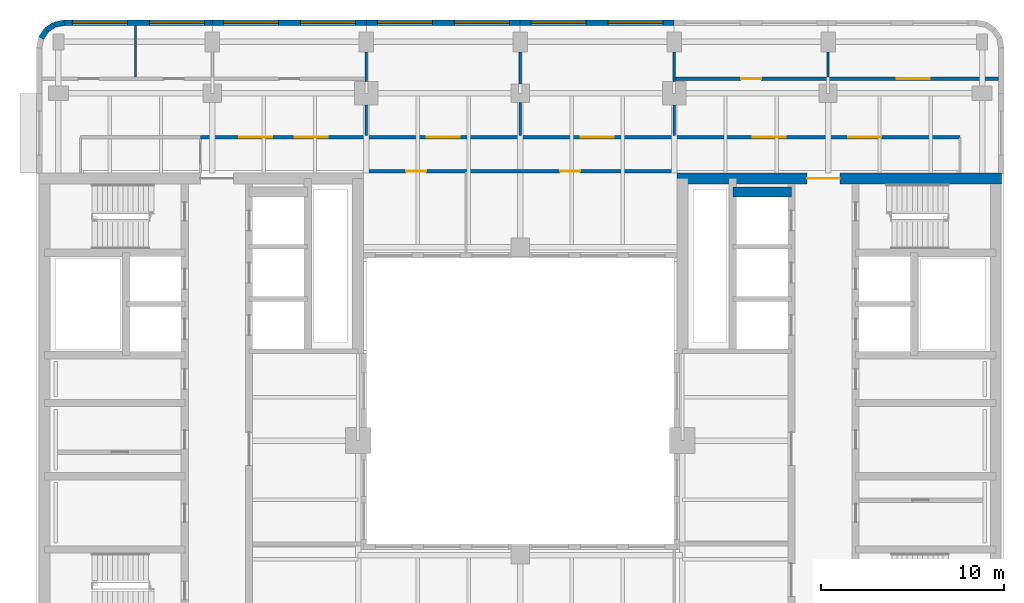
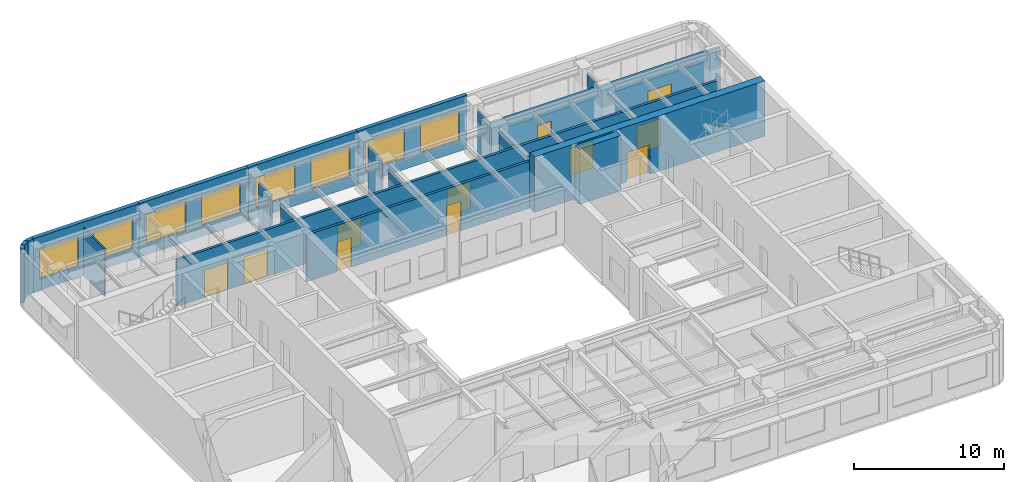
# One storey, part 7 of 11: 20 walls, 11 doors, 8 windows, 19 openings.
"""IFC4 building model written with IfcOpenShell, lengths in metres."""

from ifc_helpers import new_model, si_unit, direction, frame, frame_2d, origin, place, context, subcontext, project, spatial, rectangle, extrude, material, layer, layer_set, type_object, element, fill, save


model = new_model("IFC4")

# Units and contexts
model_context = context("Model", 3, precision=1e-05, world=origin(), true_north=direction((0.0, 1.0)))
body_context = subcontext(model_context, "Body", "Model", "MODEL_VIEW")
ifc_project = project(units=[si_unit("LENGTHUNIT", "METRE"), si_unit("AREAUNIT", "SQUARE_METRE"), si_unit("VOLUMEUNIT", "CUBIC_METRE"), si_unit("PLANEANGLEUNIT", "RADIAN"), si_unit("MASSUNIT", "GRAM", prefix="KILO")], contexts=[model_context])

# Site, building, storey
site_placement = place(None, origin())
site = spatial("IfcSite", under=ifc_project, at=site_placement, CompositionType="ELEMENT")
building_placement = place(site_placement, origin())
building = spatial("IfcBuilding", under=site, at=building_placement, Name="Claustro Exchange Tower", CompositionType="ELEMENT")
storey_placement = place(building_placement, frame((0.0, 0.0, 268.199951171875)))
storey = spatial("IfcBuildingStorey", under=building, at=storey_placement, Name="L61", CompositionType="ELEMENT", Elevation=268.199951171875)

# Walls
ifc_material_1 = material(Name="Laminated glass in aluminium frame", Category="aluminium")
ifc_layer_1 = layer(ifc_material_1, 0.1201171875)
ifc_layer_set_1 = layer_set([ifc_layer_1], Name="Laminated glass in aluminium frame")
wall_type_1 = type_object("IfcWallType", Name="P2 120 glazed partition", PredefinedType="PARTITIONING", material=ifc_layer_set_1)
wall_1_placement = place(storey_placement, frame((4.199951171875, 42.89794921875, 0.0), z_axis=(0.0, 0.0, 1.0), x_axis=(0.0, 1.0, 0.0)))
element("IfcWall", 1, at=wall_1_placement, inside=storey, type_object=wall_type_1, Name="Partition P2 L61", PredefinedType="PARTITIONING", context=body_context, shape_type="SweptSolid", body=[
    extrude(rectangle(XDim=2.803955078125, YDim=0.1201171875, at=frame_2d((1.40185546875, 0.0))), origin(), (0.0, 0.0, 1.0), 3.860107421875),
])
for number, where, z_axis, x_axis, name in (
    (2, (16.800048828125, 42.64794921875, 0.0), (0.0, 0.0, 1.0), (0.0, 1.0, 0.0), "Partition P2 L61"),
    (3, (33.60009765625, 42.64794921875, 0.0), (0.0, 0.0, 1.0), (0.0, 1.0, 0.0), "Partition P2 L61"),
):
    element("IfcWall", number, at=place(storey_placement, frame(where, z_axis=z_axis, x_axis=x_axis)), inside=storey, type_object=wall_type_1, Name=name, PredefinedType="PARTITIONING", context=body_context, shape_type="SweptSolid", body=[
        extrude(rectangle(XDim=1.60302734375, YDim=0.1201171875, at=frame_2d((0.801513671875, 0.0))), origin(), (0.0, 0.0, 1.0), 3.989990234375),
    ])
wall_2_placement = place(storey_placement, frame((42.0, 42.89794921875, 0.0), z_axis=(0.0, 0.0, 1.0), x_axis=(0.0, 1.0, 0.0)))
element("IfcWall", 4, at=wall_2_placement, inside=storey, type_object=wall_type_1, Name="Partition P2 L61", PredefinedType="PARTITIONING", context=body_context, shape_type="SweptSolid", body=[
    extrude(rectangle(XDim=1.35302734375, YDim=0.1201171875, at=frame_2d((0.676513671875, 0.0))), origin(), (0.0, 0.0, 1.0), 3.989990234375),
])
wall_3_placement = place(storey_placement, frame((16.800048828125, 39.697998046875, 0.0), z_axis=(0.0, 0.0, 1.0), x_axis=(0.0, 1.0, 0.0)))
element("IfcWall", 5, at=wall_3_placement, inside=storey, type_object=wall_type_1, Name="Partition P2 L61", PredefinedType="PARTITIONING", context=body_context, shape_type="SweptSolid", body=[
    extrude(rectangle(XDim=1.653076171875, YDim=0.1201171875, at=frame_2d((0.82666015625, 0.0))), origin(), (0.0, 0.0, 1.0), 3.989990234375),
])
wall_4_placement = place(storey_placement, frame((25.199951171875, 39.697998046875, 0.0), z_axis=(0.0, 0.0, 1.0), x_axis=(0.0, 1.0, 0.0)))
element("IfcWall", 6, at=wall_4_placement, inside=storey, type_object=wall_type_1, Name="Partition P2 L61", PredefinedType="PARTITIONING", context=body_context, shape_type="SweptSolid", body=[
    extrude(rectangle(XDim=1.802978515625, YDim=0.1201171875, at=frame_2d((0.9013671875, 0.0))), origin(), (0.0, 0.0, 1.0), 3.800048828125),
])
wall_5_placement = place(storey_placement, frame((25.199951171875, 42.4990234375, 0.0), z_axis=(0.0, 0.0, 1.0), x_axis=(0.0, 1.0, 0.0)))
element("IfcWall", 7, at=wall_5_placement, inside=storey, type_object=wall_type_1, Name="Partition P2 L61", PredefinedType="PARTITIONING", context=body_context, shape_type="SweptSolid", body=[
    extrude(rectangle(XDim=1.751953125, YDim=0.1201171875, at=frame_2d((0.8759765625, 0.0))), origin(), (0.0, 0.0, 1.0), 3.989990234375),
])
wall_6_placement = place(storey_placement, frame((33.60009765625, 39.697998046875, 0.0), z_axis=(0.0, 0.0, 1.0), x_axis=(0.0, 1.0, 0.0)))
element("IfcWall", 8, at=wall_6_placement, inside=storey, type_object=wall_type_1, Name="Partition P2 L61", PredefinedType="PARTITIONING", context=body_context, shape_type="SweptSolid", body=[
    extrude(rectangle(XDim=1.653076171875, YDim=0.1201171875, at=frame_2d((0.82666015625, 0.0))), origin(), (0.0, 0.0, 1.0), 3.989990234375),
])

# Wall, openings, doors
ifc_material_2 = material(Name="Twin-skin gypsum board on steel studs, mineral wool", Category="steel")
ifc_layer_2 = layer(ifc_material_2, 0.199951171875)
ifc_layer_set_2 = layer_set([ifc_layer_2], Name="Twin-skin gypsum board on steel studs, mineral wool")
wall_type_2 = type_object("IfcWallType", Name="P3 200 acoustic partition", PredefinedType="PARTITIONING", material=ifc_layer_set_2)
wall_7_placement = place(storey_placement, frame((33.60009765625, 42.800048828125, 0.0), z_axis=(0.0, 0.0, 1.0), x_axis=(1.0, 0.0, 0.0)))
wall_7 = element("IfcWall", 9, at=wall_7_placement, inside=storey, type_object=wall_type_2, Name="Partition P3 L61", PredefinedType="PARTITIONING", context=body_context, shape_type="SweptSolid", body=[
    extrude(rectangle(XDim=17.701904296875, YDim=0.199951171875, at=frame_2d((8.85107421875, 0.0))), origin(), (0.0, 0.0, 1.0), 3.860107421875),
])
opening_1_placement = place(wall_7_placement, frame((3.64990234375, 0.0, 0.0)))
opening_1 = element("IfcOpeningElement", 10, at=opening_1_placement, cuts=wall_7, Name="Opening D8", PredefinedType="OPENING", context=body_context, shape_type="SweptSolid", body=[
    extrude(rectangle(XDim=1.10009765625, YDim=2.39990234375, at=frame_2d((0.550048828125, 1.199951171875))), frame((0.0, 0.10986328125, 0.0), z_axis=(0.0, -1.0, 0.0), x_axis=(1.0, 0.0, 0.0)), (0.0, 0.0, 1.0), 0.219970703125),
])
opening_2_placement = place(wall_7_placement, frame((12.14990234375, 0.0, 0.0)))
opening_2 = element("IfcOpeningElement", 11, at=opening_2_placement, cuts=wall_7, Name="Opening D2", PredefinedType="OPENING", context=body_context, shape_type="SweptSolid", body=[
    extrude(rectangle(XDim=1.800048828125, YDim=2.199951171875, at=frame_2d((0.89990234375, 1.10009765625))), frame((0.0, 0.10986328125, 0.0), z_axis=(0.0, -1.0, 0.0), x_axis=(1.0, 0.0, 0.0)), (0.0, 0.0, 1.0), 0.219970703125),
])
ifc_material_3 = material(Name="Timber door, oak veneer", Category="wood")
door_type_1 = type_object("IfcDoorType", Name="D2 1800 x 2200 double door", OperationType="DOUBLE_DOOR_SINGLE_SWING", PredefinedType="DOOR", material=ifc_material_3)
door_1_placement = place(opening_2_placement, origin())
door_1 = element("IfcDoor", 12, at=door_1_placement, inside=storey, type_object=door_type_1, Name="Double door D2 L61", OperationType="DOUBLE_DOOR_SINGLE_SWING", OverallHeight=2.199951171875, OverallWidth=1.800048828125, PredefinedType="DOOR", context=body_context, shape_type="SweptSolid", body=[
    extrude(rectangle(XDim=1.800048828125, YDim=2.199951171875, at=frame_2d((0.89990234375, 1.10009765625))), frame((0.0, 0.02490234375, 0.0), z_axis=(0.0, -1.0, 0.0), x_axis=(1.0, 0.0, 0.0)), (0.0, 0.0, 1.0), 0.050048828125),
])
fill(opening_2, door_1)
ifc_material_4 = material(Name="Timber door, walnut veneer", Category="wood")
door_type_2 = type_object("IfcDoorType", Name="D8 1100 x 2400 executive door", OperationType="SINGLE_SWING_LEFT", PredefinedType="DOOR", material=ifc_material_4)
door_2_placement = place(opening_1_placement, origin())
door_2 = element("IfcDoor", 13, at=door_2_placement, inside=storey, type_object=door_type_2, Name="Door D8 L61", OperationType="SINGLE_SWING_RIGHT", OverallHeight=2.39990234375, OverallWidth=1.10009765625, PredefinedType="DOOR", context=body_context, shape_type="SweptSolid", body=[
    extrude(rectangle(XDim=1.10009765625, YDim=2.39990234375, at=frame_2d((0.550048828125, 1.199951171875))), frame((0.0, 0.02490234375, 0.0), z_axis=(0.0, -1.0, 0.0), x_axis=(1.0, 0.0, 0.0)), (0.0, 0.0, 1.0), 0.050048828125),
])
fill(opening_1, door_2)

wall_8_placement = place(storey_placement, frame((7.748046875, 39.60009765625, 0.0), z_axis=(0.0, 0.0, 1.0), x_axis=(1.0, 0.0, 0.0)))
wall_8 = element("IfcWall", 14, at=wall_8_placement, inside=storey, type_object=wall_type_2, Name="Partition P3 L61", PredefinedType="PARTITIONING", context=body_context, shape_type="SweptSolid", body=[
    extrude(rectangle(XDim=41.451904296875, YDim=0.199951171875, at=frame_2d((20.72607421875, 0.0))), origin(), (0.0, 0.0, 1.0), 3.800048828125),
])
opening_3_placement = place(wall_8_placement, frame((2.11865234375, 0.0, 0.0)))
opening_3 = element("IfcOpeningElement", 15, at=opening_3_placement, cuts=wall_8, Name="Opening D2", PredefinedType="OPENING", context=body_context, shape_type="SweptSolid", body=[
    extrude(rectangle(XDim=1.800048828125, YDim=2.199951171875, at=frame_2d((0.89990234375, 1.10009765625))), frame((0.0, 0.10986328125, 0.0), z_axis=(0.0, -1.0, 0.0), x_axis=(1.0, 0.0, 0.0)), (0.0, 0.0, 1.0), 0.219970703125),
])
opening_4_placement = place(wall_8_placement, frame((5.13525390625, 0.0, 0.0)))
opening_4 = element("IfcOpeningElement", 16, at=opening_4_placement, cuts=wall_8, Name="Opening D2", PredefinedType="OPENING", context=body_context, shape_type="SweptSolid", body=[
    extrude(rectangle(XDim=1.800048828125, YDim=2.199951171875, at=frame_2d((0.89990234375, 1.10009765625))), frame((0.0, 0.10986328125, 0.0), z_axis=(0.0, -1.0, 0.0), x_axis=(1.0, 0.0, 0.0)), (0.0, 0.0, 1.0), 0.219970703125),
])
opening_5_placement = place(wall_8_placement, frame((12.35205078125, 0.0, 0.0)))
opening_5 = element("IfcOpeningElement", 17, at=opening_5_placement, cuts=wall_8, Name="Opening D2", PredefinedType="OPENING", context=body_context, shape_type="SweptSolid", body=[
    extrude(rectangle(XDim=1.800048828125, YDim=2.199951171875, at=frame_2d((0.89990234375, 1.10009765625))), frame((0.0, 0.10986328125, 0.0), z_axis=(0.0, -1.0, 0.0), x_axis=(1.0, 0.0, 0.0)), (0.0, 0.0, 1.0), 0.219970703125),
])
opening_6_placement = place(wall_8_placement, frame((20.751953125, 0.0, 0.0)))
opening_6 = element("IfcOpeningElement", 18, at=opening_6_placement, cuts=wall_8, Name="Opening D2", PredefinedType="OPENING", context=body_context, shape_type="SweptSolid", body=[
    extrude(rectangle(XDim=1.800048828125, YDim=2.199951171875, at=frame_2d((0.89990234375, 1.10009765625))), frame((0.0, 0.10986328125, 0.0), z_axis=(0.0, -1.0, 0.0), x_axis=(1.0, 0.0, 0.0)), (0.0, 0.0, 1.0), 0.219970703125),
])
opening_7_placement = place(wall_8_placement, frame((30.152099609375, 0.0, 0.0)))
opening_7 = element("IfcOpeningElement", 19, at=opening_7_placement, cuts=wall_8, Name="Opening D2", PredefinedType="OPENING", context=body_context, shape_type="SweptSolid", body=[
    extrude(rectangle(XDim=1.800048828125, YDim=2.199951171875, at=frame_2d((0.89990234375, 1.10009765625))), frame((0.0, 0.10986328125, 0.0), z_axis=(0.0, -1.0, 0.0), x_axis=(1.0, 0.0, 0.0)), (0.0, 0.0, 1.0), 0.219970703125),
])
opening_8_placement = place(wall_8_placement, frame((35.35205078125, 0.0, 0.0)))
opening_8 = element("IfcOpeningElement", 20, at=opening_8_placement, cuts=wall_8, Name="Opening D2", PredefinedType="OPENING", context=body_context, shape_type="SweptSolid", body=[
    extrude(rectangle(XDim=1.800048828125, YDim=2.199951171875, at=frame_2d((0.89990234375, 1.10009765625))), frame((0.0, 0.10986328125, 0.0), z_axis=(0.0, -1.0, 0.0), x_axis=(1.0, 0.0, 0.0)), (0.0, 0.0, 1.0), 0.219970703125),
])
door_3_placement = place(opening_3_placement, origin())
door_3 = element("IfcDoor", 21, at=door_3_placement, inside=storey, type_object=door_type_1, Name="Double door D2 L61", OperationType="DOUBLE_DOOR_SINGLE_SWING", OverallHeight=2.199951171875, OverallWidth=1.800048828125, PredefinedType="DOOR", context=body_context, shape_type="SweptSolid", body=[
    extrude(rectangle(XDim=1.800048828125, YDim=2.199951171875, at=frame_2d((0.89990234375, 1.10009765625))), frame((0.0, 0.02490234375, 0.0), z_axis=(0.0, -1.0, 0.0), x_axis=(1.0, 0.0, 0.0)), (0.0, 0.0, 1.0), 0.050048828125),
])
fill(opening_3, door_3)
door_4_placement = place(opening_4_placement, origin())
door_4 = element("IfcDoor", 22, at=door_4_placement, inside=storey, type_object=door_type_1, Name="Double door D2 L61", OperationType="DOUBLE_DOOR_SINGLE_SWING", OverallHeight=2.199951171875, OverallWidth=1.800048828125, PredefinedType="DOOR", context=body_context, shape_type="SweptSolid", body=[
    extrude(rectangle(XDim=1.800048828125, YDim=2.199951171875, at=frame_2d((0.89990234375, 1.10009765625))), frame((0.0, 0.02490234375, 0.0), z_axis=(0.0, -1.0, 0.0), x_axis=(1.0, 0.0, 0.0)), (0.0, 0.0, 1.0), 0.050048828125),
])
fill(opening_4, door_4)
door_5_placement = place(opening_5_placement, origin())
door_5 = element("IfcDoor", 23, at=door_5_placement, inside=storey, type_object=door_type_1, Name="Double door D2 L61", OperationType="DOUBLE_DOOR_SINGLE_SWING", OverallHeight=2.199951171875, OverallWidth=1.800048828125, PredefinedType="DOOR", context=body_context, shape_type="SweptSolid", body=[
    extrude(rectangle(XDim=1.800048828125, YDim=2.199951171875, at=frame_2d((0.89990234375, 1.10009765625))), frame((0.0, 0.02490234375, 0.0), z_axis=(0.0, -1.0, 0.0), x_axis=(1.0, 0.0, 0.0)), (0.0, 0.0, 1.0), 0.050048828125),
])
fill(opening_5, door_5)
door_6_placement = place(opening_6_placement, origin())
door_6 = element("IfcDoor", 24, at=door_6_placement, inside=storey, type_object=door_type_1, Name="Double door D2 L61", OperationType="DOUBLE_DOOR_SINGLE_SWING", OverallHeight=2.199951171875, OverallWidth=1.800048828125, PredefinedType="DOOR", context=body_context, shape_type="SweptSolid", body=[
    extrude(rectangle(XDim=1.800048828125, YDim=2.199951171875, at=frame_2d((0.89990234375, 1.10009765625))), frame((0.0, 0.02490234375, 0.0), z_axis=(0.0, -1.0, 0.0), x_axis=(1.0, 0.0, 0.0)), (0.0, 0.0, 1.0), 0.050048828125),
])
fill(opening_6, door_6)
door_7_placement = place(opening_7_placement, origin())
door_7 = element("IfcDoor", 25, at=door_7_placement, inside=storey, type_object=door_type_1, Name="Double door D2 L61", OperationType="DOUBLE_DOOR_SINGLE_SWING", OverallHeight=2.199951171875, OverallWidth=1.800048828125, PredefinedType="DOOR", context=body_context, shape_type="SweptSolid", body=[
    extrude(rectangle(XDim=1.800048828125, YDim=2.199951171875, at=frame_2d((0.89990234375, 1.10009765625))), frame((0.0, 0.02490234375, 0.0), z_axis=(0.0, -1.0, 0.0), x_axis=(1.0, 0.0, 0.0)), (0.0, 0.0, 1.0), 0.050048828125),
])
fill(opening_7, door_7)
door_8_placement = place(opening_8_placement, origin())
door_8 = element("IfcDoor", 26, at=door_8_placement, inside=storey, type_object=door_type_1, Name="Double door D2 L61", OperationType="DOUBLE_DOOR_SINGLE_SWING", OverallHeight=2.199951171875, OverallWidth=1.800048828125, PredefinedType="DOOR", context=body_context, shape_type="SweptSolid", body=[
    extrude(rectangle(XDim=1.800048828125, YDim=2.199951171875, at=frame_2d((0.89990234375, 1.10009765625))), frame((0.0, 0.02490234375, 0.0), z_axis=(0.0, -1.0, 0.0), x_axis=(1.0, 0.0, 0.0)), (0.0, 0.0, 1.0), 0.050048828125),
])
fill(opening_8, door_8)

wall_9_placement = place(storey_placement, frame((16.64990234375, 37.75, 0.0), z_axis=(0.0, 0.0, 1.0), x_axis=(1.0, 0.0, 0.0)))
wall_9 = element("IfcWall", 27, at=wall_9_placement, inside=storey, type_object=wall_type_2, Name="Partition P3 L61", PredefinedType="PARTITIONING", context=body_context, shape_type="SweptSolid", body=[
    extrude(rectangle(XDim=17.10009765625, YDim=0.199951171875, at=frame_2d((8.550048828125, 0.0))), origin(), (0.0, 0.0, 1.0), 3.800048828125),
])
opening_9_placement = place(wall_9_placement, frame((2.3203125, 0.0, 0.0)))
opening_9 = element("IfcOpeningElement", 28, at=opening_9_placement, cuts=wall_9, Name="Opening D8", PredefinedType="OPENING", context=body_context, shape_type="SweptSolid", body=[
    extrude(rectangle(XDim=1.10009765625, YDim=2.39990234375, at=frame_2d((0.550048828125, 1.199951171875))), frame((0.0, 0.10986328125, 0.0), z_axis=(0.0, -1.0, 0.0), x_axis=(1.0, 0.0, 0.0)), (0.0, 0.0, 1.0), 0.219970703125),
])
opening_10_placement = place(wall_9_placement, frame((10.72021484375, 0.0, 0.0)))
opening_10 = element("IfcOpeningElement", 29, at=opening_10_placement, cuts=wall_9, Name="Opening D8", PredefinedType="OPENING", context=body_context, shape_type="SweptSolid", body=[
    extrude(rectangle(XDim=1.10009765625, YDim=2.39990234375, at=frame_2d((0.550048828125, 1.199951171875))), frame((0.0, 0.10986328125, 0.0), z_axis=(0.0, -1.0, 0.0), x_axis=(1.0, 0.0, 0.0)), (0.0, 0.0, 1.0), 0.219970703125),
])
door_9_placement = place(opening_9_placement, frame((1.10009765625, 0.0, 0.0), z_axis=(0.0, 0.0, 1.0), x_axis=(-1.0, 0.0, 0.0)))
door_9 = element("IfcDoor", 30, at=door_9_placement, inside=storey, type_object=door_type_2, Name="Door D8 L61", OperationType="SINGLE_SWING_LEFT", OverallHeight=2.39990234375, OverallWidth=1.10009765625, PredefinedType="DOOR", context=body_context, shape_type="SweptSolid", body=[
    extrude(rectangle(XDim=1.10009765625, YDim=2.39990234375, at=frame_2d((0.550048828125, 1.199951171875))), frame((0.0, 0.02490234375, 0.0), z_axis=(0.0, -1.0, 0.0), x_axis=(1.0, 0.0, 0.0)), (0.0, 0.0, 1.0), 0.050048828125),
])
fill(opening_9, door_9)
door_10_placement = place(opening_10_placement, frame((1.10009765625, 0.0, 0.0), z_axis=(0.0, 0.0, 1.0), x_axis=(-1.0, 0.0, 0.0)))
door_10 = element("IfcDoor", 31, at=door_10_placement, inside=storey, type_object=door_type_2, Name="Door D8 L61", OperationType="SINGLE_SWING_LEFT", OverallHeight=2.39990234375, OverallWidth=1.10009765625, PredefinedType="DOOR", context=body_context, shape_type="SweptSolid", body=[
    extrude(rectangle(XDim=1.10009765625, YDim=2.39990234375, at=frame_2d((0.550048828125, 1.199951171875))), frame((0.0, 0.02490234375, 0.0), z_axis=(0.0, -1.0, 0.0), x_axis=(1.0, 0.0, 0.0)), (0.0, 0.0, 1.0), 0.050048828125),
])
fill(opening_10, door_10)

# Walls
ifc_material_5 = material(Name="Concrete HA-40 (C40/50), precast, white cement, acid-etched", Category="concrete")
ifc_layer_3 = layer(ifc_material_5, 0.300048828125)
ifc_layer_set_3 = layer_set([ifc_layer_3], Name="Concrete HA-40 (C40/50), precast, white cement, acid-etched")
wall_type_3 = type_object("IfcWallType", Name="PC1 300 precast concrete pier panel", PredefinedType="SOLIDWALL", material=ifc_layer_set_3)
wall_10_placement = place(storey_placement, frame((-0.944580078125, 45.015380859375, 0.0), z_axis=(0.0, 0.0, 1.0), x_axis=(0.55534295404, 0.831621430339, 0.0)))
element("IfcWall", 32, at=wall_10_placement, inside=storey, type_object=wall_type_3, Name="Precast pier panel PC1 L61", PredefinedType="SOLIDWALL", context=body_context, shape_type="SweptSolid", body=[
    extrude(rectangle(XDim=0.52587890625, YDim=0.300048828125, at=frame_2d((0.262939453125, 0.0))), origin(), (0.0, 0.0, 1.0), 4.35009765625),
])
wall_11_placement = place(storey_placement, frame((-0.652587890625, 45.45263671875, 0.0), z_axis=(0.0, 0.0, 1.0), x_axis=(0.831692711774, 0.555236195849, 0.0)))
element("IfcWall", 33, at=wall_11_placement, inside=storey, type_object=wall_type_3, Name="Precast pier panel PC1 L61", PredefinedType="SOLIDWALL", context=body_context, shape_type="SweptSolid", body=[
    extrude(rectangle(XDim=0.525390625, YDim=0.300048828125, at=frame_2d((0.2626953125, 0.0))), origin(), (0.0, 0.0, 1.0), 4.35009765625),
])
wall_12_placement = place(storey_placement, frame((-0.215576171875, 45.744384765625, 0.0), z_axis=(0.0, 0.0, 1.0), x_axis=(0.980702050465, 0.1955082817, 0.0)))
element("IfcWall", 34, at=wall_12_placement, inside=storey, type_object=wall_type_3, Name="Precast pier panel PC1 L61", PredefinedType="SOLIDWALL", context=body_context, shape_type="SweptSolid", body=[
    extrude(rectangle(XDim=0.540771484375, YDim=0.300048828125, at=frame_2d((0.2705078125, 0.0))), origin(), (0.0, 0.0, 1.0), 4.35009765625),
])

# Wall, openings, windows
wall_13_placement = place(storey_placement, frame((0.314697265625, 45.85009765625, 0.0), z_axis=(0.0, 0.0, 1.0), x_axis=(1.0, 0.0, 0.0)))
wall_13 = element("IfcWall", 35, at=wall_13_placement, inside=storey, type_object=wall_type_3, Name="Precast pier panel PC1 L61", PredefinedType="SOLIDWALL", context=body_context, shape_type="SweptSolid", body=[
    extrude(rectangle(XDim=8.085205078125, YDim=0.300048828125, at=frame_2d((4.04248046875, 0.0))), origin(), (0.0, 0.0, 1.0), 4.35009765625),
])
opening_11_placement = place(wall_13_placement, frame((0.442626953125, 0.0, 0.89990234375)))
opening_11 = element("IfcOpeningElement", 36, at=opening_11_placement, cuts=wall_13, Name="Opening W3", PredefinedType="OPENING", context=body_context, shape_type="SweptSolid", body=[
    extrude(rectangle(XDim=3.0, YDim=2.39990234375, at=frame_2d((1.5, 1.199951171875))), frame((0.0, 0.159912109375, 0.0), z_axis=(0.0, -1.0, 0.0), x_axis=(1.0, 0.0, 0.0)), (0.0, 0.0, 1.0), 0.320068359375),
])
opening_12_placement = place(wall_13_placement, frame((4.642578125, 0.0, 0.89990234375)))
opening_12 = element("IfcOpeningElement", 37, at=opening_12_placement, cuts=wall_13, Name="Opening W3", PredefinedType="OPENING", context=body_context, shape_type="SweptSolid", body=[
    extrude(rectangle(XDim=3.0, YDim=2.39990234375, at=frame_2d((1.5, 1.199951171875))), frame((0.0, 0.159912109375, 0.0), z_axis=(0.0, -1.0, 0.0), x_axis=(1.0, 0.0, 0.0)), (0.0, 0.0, 1.0), 0.320068359375),
])
ifc_material_6 = material(Name="Aluminium frame, clear double glazing", Category="aluminium")
window_type = type_object("IfcWindowType", Name="W3 3000 x 2400 window", PartitioningType="SINGLE_PANEL", PredefinedType="WINDOW", material=ifc_material_6)
window_1_placement = place(opening_11_placement, origin())
window_1 = element("IfcWindow", 38, at=window_1_placement, inside=storey, type_object=window_type, Name="Window W3 L61", OverallHeight=2.39990234375, OverallWidth=3.0, PartitioningType="SINGLE_PANEL", PredefinedType="WINDOW", context=body_context, shape_type="SweptSolid", body=[
    extrude(rectangle(XDim=3.0, YDim=2.39990234375, at=frame_2d((1.5, 1.199951171875))), frame((0.0, 0.030029296875, 0.0), z_axis=(0.0, -1.0, 0.0), x_axis=(1.0, 0.0, 0.0)), (0.0, 0.0, 1.0), 0.06005859375),
])
fill(opening_11, window_1)
window_2_placement = place(opening_12_placement, origin())
window_2 = element("IfcWindow", 39, at=window_2_placement, inside=storey, type_object=window_type, Name="Window W3 L61", OverallHeight=2.39990234375, OverallWidth=3.0, PartitioningType="SINGLE_PANEL", PredefinedType="WINDOW", context=body_context, shape_type="SweptSolid", body=[
    extrude(rectangle(XDim=3.0, YDim=2.39990234375, at=frame_2d((1.5, 1.199951171875))), frame((0.0, 0.030029296875, 0.0), z_axis=(0.0, -1.0, 0.0), x_axis=(1.0, 0.0, 0.0)), (0.0, 0.0, 1.0), 0.06005859375),
])
fill(opening_12, window_2)

wall_14_placement = place(storey_placement, frame((8.39990234375, 45.85009765625, 0.0), z_axis=(0.0, 0.0, 1.0), x_axis=(1.0, 0.0, 0.0)))
wall_14 = element("IfcWall", 40, at=wall_14_placement, inside=storey, type_object=wall_type_3, Name="Precast pier panel PC1 L61", PredefinedType="SOLIDWALL", context=body_context, shape_type="SweptSolid", body=[
    extrude(rectangle(XDim=8.400146484375, YDim=0.300048828125, at=frame_2d((4.2001953125, 0.0))), origin(), (0.0, 0.0, 1.0), 4.35009765625),
])
opening_13_placement = place(wall_14_placement, frame((0.60009765625, 0.0, 0.89990234375)))
opening_13 = element("IfcOpeningElement", 41, at=opening_13_placement, cuts=wall_14, Name="Opening W3", PredefinedType="OPENING", context=body_context, shape_type="SweptSolid", body=[
    extrude(rectangle(XDim=3.0, YDim=2.39990234375, at=frame_2d((1.5, 1.199951171875))), frame((0.0, 0.159912109375, 0.0), z_axis=(0.0, -1.0, 0.0), x_axis=(1.0, 0.0, 0.0)), (0.0, 0.0, 1.0), 0.320068359375),
])
opening_14_placement = place(wall_14_placement, frame((4.800048828125, 0.0, 0.89990234375)))
opening_14 = element("IfcOpeningElement", 42, at=opening_14_placement, cuts=wall_14, Name="Opening W3", PredefinedType="OPENING", context=body_context, shape_type="SweptSolid", body=[
    extrude(rectangle(XDim=3.0, YDim=2.39990234375, at=frame_2d((1.5, 1.199951171875))), frame((0.0, 0.159912109375, 0.0), z_axis=(0.0, -1.0, 0.0), x_axis=(1.0, 0.0, 0.0)), (0.0, 0.0, 1.0), 0.320068359375),
])
window_3_placement = place(opening_13_placement, origin())
window_3 = element("IfcWindow", 43, at=window_3_placement, inside=storey, type_object=window_type, Name="Window W3 L61", OverallHeight=2.39990234375, OverallWidth=3.0, PartitioningType="SINGLE_PANEL", PredefinedType="WINDOW", context=body_context, shape_type="SweptSolid", body=[
    extrude(rectangle(XDim=3.0, YDim=2.39990234375, at=frame_2d((1.5, 1.199951171875))), frame((0.0, 0.030029296875, 0.0), z_axis=(0.0, -1.0, 0.0), x_axis=(1.0, 0.0, 0.0)), (0.0, 0.0, 1.0), 0.06005859375),
])
fill(opening_13, window_3)
window_4_placement = place(opening_14_placement, origin())
window_4 = element("IfcWindow", 44, at=window_4_placement, inside=storey, type_object=window_type, Name="Window W3 L61", OverallHeight=2.39990234375, OverallWidth=3.0, PartitioningType="SINGLE_PANEL", PredefinedType="WINDOW", context=body_context, shape_type="SweptSolid", body=[
    extrude(rectangle(XDim=3.0, YDim=2.39990234375, at=frame_2d((1.5, 1.199951171875))), frame((0.0, 0.030029296875, 0.0), z_axis=(0.0, -1.0, 0.0), x_axis=(1.0, 0.0, 0.0)), (0.0, 0.0, 1.0), 0.06005859375),
])
fill(opening_14, window_4)

wall_15_placement = place(storey_placement, frame((16.800048828125, 45.85009765625, 0.0), z_axis=(0.0, 0.0, 1.0), x_axis=(1.0, 0.0, 0.0)))
wall_15 = element("IfcWall", 45, at=wall_15_placement, inside=storey, type_object=wall_type_3, Name="Precast pier panel PC1 L61", PredefinedType="SOLIDWALL", context=body_context, shape_type="SweptSolid", body=[
    extrude(rectangle(XDim=8.39990234375, YDim=0.300048828125, at=frame_2d((4.199951171875, 0.0))), origin(), (0.0, 0.0, 1.0), 4.35009765625),
])
opening_15_placement = place(wall_15_placement, frame((0.60009765625, 0.0, 0.89990234375)))
opening_15 = element("IfcOpeningElement", 46, at=opening_15_placement, cuts=wall_15, Name="Opening W3", PredefinedType="OPENING", context=body_context, shape_type="SweptSolid", body=[
    extrude(rectangle(XDim=3.0, YDim=2.39990234375, at=frame_2d((1.5, 1.199951171875))), frame((0.0, 0.159912109375, 0.0), z_axis=(0.0, -1.0, 0.0), x_axis=(1.0, 0.0, 0.0)), (0.0, 0.0, 1.0), 0.320068359375),
])
opening_16_placement = place(wall_15_placement, frame((4.800048828125, 0.0, 0.89990234375)))
opening_16 = element("IfcOpeningElement", 47, at=opening_16_placement, cuts=wall_15, Name="Opening W3", PredefinedType="OPENING", context=body_context, shape_type="SweptSolid", body=[
    extrude(rectangle(XDim=3.0, YDim=2.39990234375, at=frame_2d((1.5, 1.199951171875))), frame((0.0, 0.159912109375, 0.0), z_axis=(0.0, -1.0, 0.0), x_axis=(1.0, 0.0, 0.0)), (0.0, 0.0, 1.0), 0.320068359375),
])
window_5_placement = place(opening_15_placement, origin())
window_5 = element("IfcWindow", 48, at=window_5_placement, inside=storey, type_object=window_type, Name="Window W3 L61", OverallHeight=2.39990234375, OverallWidth=3.0, PartitioningType="SINGLE_PANEL", PredefinedType="WINDOW", context=body_context, shape_type="SweptSolid", body=[
    extrude(rectangle(XDim=3.0, YDim=2.39990234375, at=frame_2d((1.5, 1.199951171875))), frame((0.0, 0.030029296875, 0.0), z_axis=(0.0, -1.0, 0.0), x_axis=(1.0, 0.0, 0.0)), (0.0, 0.0, 1.0), 0.06005859375),
])
fill(opening_15, window_5)
window_6_placement = place(opening_16_placement, origin())
window_6 = element("IfcWindow", 49, at=window_6_placement, inside=storey, type_object=window_type, Name="Window W3 L61", OverallHeight=2.39990234375, OverallWidth=3.0, PartitioningType="SINGLE_PANEL", PredefinedType="WINDOW", context=body_context, shape_type="SweptSolid", body=[
    extrude(rectangle(XDim=3.0, YDim=2.39990234375, at=frame_2d((1.5, 1.199951171875))), frame((0.0, 0.030029296875, 0.0), z_axis=(0.0, -1.0, 0.0), x_axis=(1.0, 0.0, 0.0)), (0.0, 0.0, 1.0), 0.06005859375),
])
fill(opening_16, window_6)

wall_16_placement = place(storey_placement, frame((25.199951171875, 45.85009765625, 0.0), z_axis=(0.0, 0.0, 1.0), x_axis=(1.0, 0.0, 0.0)))
wall_16 = element("IfcWall", 50, at=wall_16_placement, inside=storey, type_object=wall_type_3, Name="Precast pier panel PC1 L61", PredefinedType="SOLIDWALL", context=body_context, shape_type="SweptSolid", body=[
    extrude(rectangle(XDim=8.400146484375, YDim=0.300048828125, at=frame_2d((4.2001953125, 0.0))), origin(), (0.0, 0.0, 1.0), 4.35009765625),
])
opening_17_placement = place(wall_16_placement, frame((0.60009765625, 0.0, 0.89990234375)))
opening_17 = element("IfcOpeningElement", 51, at=opening_17_placement, cuts=wall_16, Name="Opening W3", PredefinedType="OPENING", context=body_context, shape_type="SweptSolid", body=[
    extrude(rectangle(XDim=3.0, YDim=2.39990234375, at=frame_2d((1.5, 1.199951171875))), frame((0.0, 0.159912109375, 0.0), z_axis=(0.0, -1.0, 0.0), x_axis=(1.0, 0.0, 0.0)), (0.0, 0.0, 1.0), 0.320068359375),
])
opening_18_placement = place(wall_16_placement, frame((4.800048828125, 0.0, 0.89990234375)))
opening_18 = element("IfcOpeningElement", 52, at=opening_18_placement, cuts=wall_16, Name="Opening W3", PredefinedType="OPENING", context=body_context, shape_type="SweptSolid", body=[
    extrude(rectangle(XDim=3.0, YDim=2.39990234375, at=frame_2d((1.5, 1.199951171875))), frame((0.0, 0.159912109375, 0.0), z_axis=(0.0, -1.0, 0.0), x_axis=(1.0, 0.0, 0.0)), (0.0, 0.0, 1.0), 0.320068359375),
])
window_7_placement = place(opening_17_placement, origin())
window_7 = element("IfcWindow", 53, at=window_7_placement, inside=storey, type_object=window_type, Name="Window W3 L61", OverallHeight=2.39990234375, OverallWidth=3.0, PartitioningType="SINGLE_PANEL", PredefinedType="WINDOW", context=body_context, shape_type="SweptSolid", body=[
    extrude(rectangle(XDim=3.0, YDim=2.39990234375, at=frame_2d((1.5, 1.199951171875))), frame((0.0, 0.030029296875, 0.0), z_axis=(0.0, -1.0, 0.0), x_axis=(1.0, 0.0, 0.0)), (0.0, 0.0, 1.0), 0.06005859375),
])
fill(opening_17, window_7)
window_8_placement = place(opening_18_placement, origin())
window_8 = element("IfcWindow", 54, at=window_8_placement, inside=storey, type_object=window_type, Name="Window W3 L61", OverallHeight=2.39990234375, OverallWidth=3.0, PartitioningType="SINGLE_PANEL", PredefinedType="WINDOW", context=body_context, shape_type="SweptSolid", body=[
    extrude(rectangle(XDim=3.0, YDim=2.39990234375, at=frame_2d((1.5, 1.199951171875))), frame((0.0, 0.030029296875, 0.0), z_axis=(0.0, -1.0, 0.0), x_axis=(1.0, 0.0, 0.0)), (0.0, 0.0, 1.0), 0.06005859375),
])
fill(opening_18, window_8)

# Wall, opening, door
ifc_material_7 = material(Name="Concrete HA-50 (C50/60)", Category="concrete")
ifc_layer_4 = layer(ifc_material_7, 0.60009765625)
ifc_layer_set_4 = layer_set([ifc_layer_4], Name="Concrete HA-50 (C50/60)")
wall_type_4 = type_object("IfcWallType", Name="SW3 600 core shear wall", PredefinedType="SHEAR", material=ifc_layer_set_4)
wall_17_placement = place(storey_placement, frame((33.75, 37.35009765625, 0.0), z_axis=(0.0, 0.0, 1.0), x_axis=(1.0, 0.0, 0.0)))
wall_17 = element("IfcWall", 55, at=wall_17_placement, inside=storey, type_object=wall_type_4, Name="Core wall SW3 E core N face L61", PredefinedType="SHEAR", context=body_context, shape_type="SweptSolid", body=[
    extrude(rectangle(XDim=17.699951171875, YDim=0.60009765625, at=frame_2d((8.85009765625, 0.0))), origin(), (0.0, 0.0, 1.0), 4.5),
])
opening_19_placement = place(wall_17_placement, frame((7.10009765625, 0.0, 0.0)))
opening_19 = element("IfcOpeningElement", 56, at=opening_19_placement, cuts=wall_17, Name="Opening D3", PredefinedType="OPENING", context=body_context, shape_type="SweptSolid", body=[
    extrude(rectangle(XDim=1.800048828125, YDim=2.39990234375, at=frame_2d((0.89990234375, 1.199951171875))), frame((0.0, 0.31005859375, 0.0), z_axis=(0.0, -1.0, 0.0), x_axis=(1.0, 0.0, 0.0)), (0.0, 0.0, 1.0), 0.6201171875),
])
ifc_material_8 = material(Name="Steel fire door, painted", Category="steel")
door_type_3 = type_object("IfcDoorType", Name="D3 1800 x 2400 fire-rated lobby double door", OperationType="DOUBLE_DOOR_SINGLE_SWING", PredefinedType="DOOR", material=ifc_material_8)
door_11_placement = place(opening_19_placement, origin())
door_11 = element("IfcDoor", 57, at=door_11_placement, inside=storey, type_object=door_type_3, Name="Lift lobby door D3 L61", OperationType="DOUBLE_DOOR_SINGLE_SWING", OverallHeight=2.39990234375, OverallWidth=1.800048828125, PredefinedType="DOOR", context=body_context, shape_type="SweptSolid", body=[
    extrude(rectangle(XDim=1.800048828125, YDim=2.39990234375, at=frame_2d((0.89990234375, 1.199951171875))), frame((0.0, 0.02490234375, 0.0), z_axis=(0.0, -1.0, 0.0), x_axis=(1.0, 0.0, 0.0)), (0.0, 0.0, 1.0), 0.050048828125),
])
fill(opening_19, door_11)

# Wall
ifc_material_9 = material(Name="Concrete HA-50 (C50/60)", Category="concrete")
ifc_layer_5 = layer(ifc_material_9, 0.550048828125)
ifc_layer_set_5 = layer_set([ifc_layer_5], Name="Concrete HA-50 (C50/60)")
wall_type_5 = type_object("IfcWallType", Name="SW6 550 lift shaft end wall", PredefinedType="SHEAR", material=ifc_layer_set_5)
wall_18_placement = place(storey_placement, frame((40.0, 36.625, 0.0), z_axis=(0.0, 0.0, 1.0), x_axis=(-1.0, 0.0, 0.0)))
element("IfcWall", 58, at=wall_18_placement, inside=storey, type_object=wall_type_5, Name="Lift shaft wall E core L61", PredefinedType="SHEAR", context=body_context, shape_type="SweptSolid", body=[
    extrude(rectangle(XDim=3.199951171875, YDim=0.550048828125, at=frame_2d((1.60009765625, 0.0))), origin(), (0.0, 0.0, 1.0), 4.5),
])

save(model, "model.ifc")
